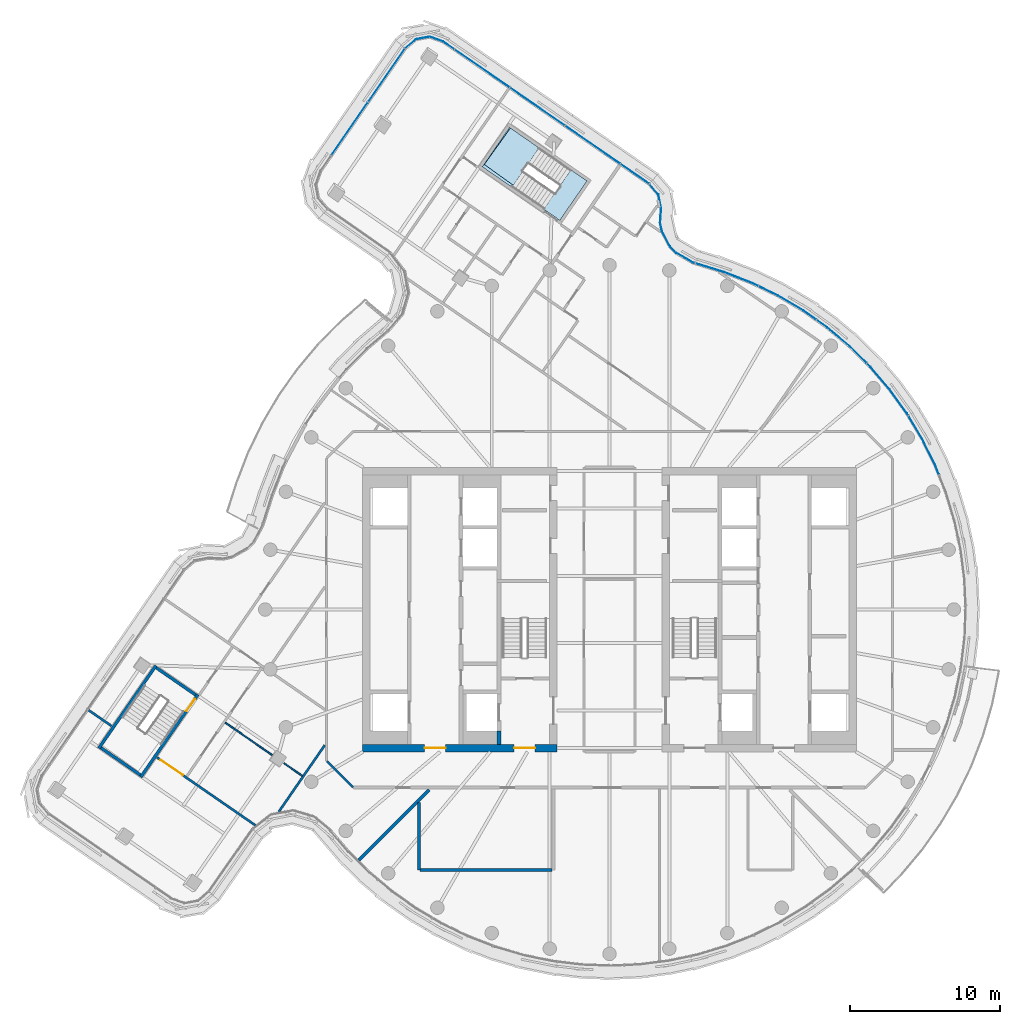
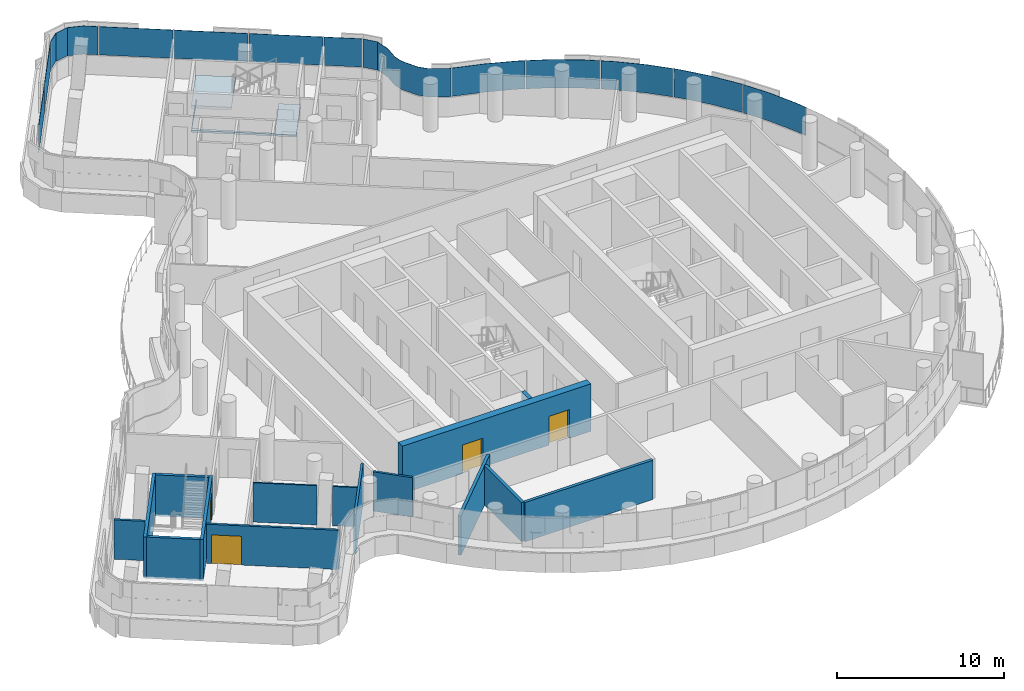
# One storey, part 15 of 26: 15 walls, 13 plates, 4 doors, 2 slabs, 4 openings, 4 elements without a shape of their own.
"""IFC4 building model written with IfcOpenShell, lengths in metres."""

from ifc_helpers import new_model, si_unit, direction, frame, frame_2d, origin, place, context, subcontext, project, spatial, polyline, rectangle, outline, extrude, material, layer, layer_set, type_object, element, fill, aggregate, save


model = new_model("IFC4")

# Units and contexts
model_context = context("Model", 3, precision=1e-05, world=origin(), true_north=direction((0.0, 1.0)))
body_context = subcontext(model_context, "Body", "Model", "MODEL_VIEW")
ifc_project = project(units=[si_unit("LENGTHUNIT", "METRE"), si_unit("AREAUNIT", "SQUARE_METRE"), si_unit("VOLUMEUNIT", "CUBIC_METRE"), si_unit("PLANEANGLEUNIT", "RADIAN"), si_unit("MASSUNIT", "GRAM", prefix="KILO")], contexts=[model_context])

# Site, building, storey
site_placement = place(None, origin())
site = spatial("IfcSite", under=ifc_project, at=site_placement, CompositionType="ELEMENT")
building_placement = place(site_placement, origin())
building = spatial("IfcBuilding", under=site, at=building_placement, Name="Tamarind Cross Interchange Tower", CompositionType="ELEMENT")
storey_placement = place(building_placement, frame((0.0, 0.0, 234.300048828125)))
storey = spatial("IfcBuildingStorey", under=building, at=storey_placement, Name="L59", CompositionType="ELEMENT", Elevation=234.300048828125)

# Slab
ifc_material_1 = material(Name="Concrete C35", Category="concrete")
ifc_layer_1 = layer(ifc_material_1, 0.139892578125)
ifc_layer_set_1 = layer_set([ifc_layer_1], Name="Concrete C35")
slab_type_1 = type_object("IfcSlabType", Name="Composite slab 140 Concrete C35", PredefinedType="FLOOR", material=ifc_layer_set_1)
slab_1_placement = place(storey_placement, frame((0.0, 0.0, -0.14013671875)))
element("IfcSlab", 1, at=slab_1_placement, inside=storey, type_object=slab_type_1, Name="Floor slab L59", PredefinedType="FLOOR", context=body_context, shape_type="SweptSolid", body=[
    extrude(outline(polyline([(-6.684814453125, 32.2060546875), (-8.503173828125, 29.57275390625), (-3.31884765625, 25.9931640625), (-1.50048828125, 28.626220703125), (-2.580322265625, 29.371826171875), (-4.3330078125, 26.83349609375), (-8.363525390625, 29.7265625), (-6.6171875, 32.159423828125), (-6.684814453125, 32.2060546875)])), origin(), (0.0, 0.0, 1.0), 0.14013671875),
])

# Stair, slab
ifc_material_2 = material(Name="Exit stair")
stair_type = type_object("IfcStairType", Name="Exit stair", PredefinedType="HALF_TURN_STAIR", material=ifc_material_2)
stair_placement = place(storey_placement, origin())
stair = element("IfcStair", 2, at=stair_placement, inside=storey, type_object=stair_type, Name="L59 exit stair ST4", PredefinedType="HALF_TURN_STAIR")
ifc_material_3 = material(Name="Concrete C40", Category="concrete")
ifc_layer_2 = layer(ifc_material_3, 0.199951171875)
ifc_layer_set_2 = layer_set([ifc_layer_2], Name="Concrete C40")
slab_type_2 = type_object("IfcSlabType", Name="Stair landing", PredefinedType="LANDING", material=ifc_layer_set_2)
slab_2_placement = place(storey_placement, frame((0.0, 0.0, 1.599853515625)))
slab_2 = element("IfcSlab", 3, at=slab_2_placement, type_object=slab_type_2, Name="ST4 landing 1", PredefinedType="LANDING", context=body_context, shape_type="SweptSolid", body=[
    extrude(outline(polyline([(-4.699951171875, 30.83544921875), (-6.684814453125, 32.2060546875), (-8.503173828125, 29.57275390625), (-6.518310546875, 28.202392578125), (-4.699951171875, 30.83544921875)])), origin(), (0.0, 0.0, 1.0), 0.2001953125),
])
aggregate(stair, [slab_2])

# Curtain wall, plates
ifc_material_4 = material(Name="Aluminium 6063-T6", Category="aluminium")
ifc_layer_3 = layer(ifc_material_4, 0.139892578125)
ifc_layer_set_3 = layer_set([ifc_layer_3], Name="Aluminium 6063-T6")
curtain_wall_type = type_object("IfcCurtainWallType", Name="Hotel curtain wall, 4.5 m bays", PredefinedType="NOTDEFINED", material=ifc_layer_set_3)
curtain_wall_1_placement = place(storey_placement, origin())
curtain_wall_1 = element("IfcCurtainWall", 4, at=curtain_wall_1_placement, inside=storey, type_object=curtain_wall_type, Name="CWS-L59-02", PredefinedType="NOTDEFINED")
ifc_material_5 = material(Name="Laminated low-e glass 6+1.52+6", Category="glass")
ifc_layer_4 = layer(ifc_material_5, 0.02392578125)
ifc_layer_set_4 = layer_set([ifc_layer_4], Name="Laminated low-e glass 6+1.52+6")
plate_type = type_object("IfcPlateType", Name="Vision panel CW2", PredefinedType="CURTAIN_PANEL", material=ifc_layer_set_4)
plate_1_placement = place(storey_placement, frame((0.0, 0.0, 1.39990234375)))
plate_1 = element("IfcPlate", 5, at=plate_1_placement, type_object=plate_type, Name="CWP-L59-02-16", PredefinedType="CURTAIN_PANEL", context=body_context, shape_type="SweptSolid", body=[
    extrude(outline(polyline([(21.990234375, 9.01220703125), (21.7392578125, 9.6474609375), (20.868408203125, 11.40966796875), (19.962890625, 12.91455078125), (19.9833984375, 12.927001953125), (20.889404296875, 11.421142578125), (21.76123046875, 9.6572265625), (22.0126953125, 9.02099609375), (21.990234375, 9.01220703125)])), origin(), (0.0, 0.0, 1.0), 2.06005859375),
])
plate_2_placement = place(storey_placement, frame((0.0, 0.0, 1.39990234375)))
plate_2 = element("IfcPlate", 6, at=plate_2_placement, type_object=plate_type, Name="CWP-L59-02-17", PredefinedType="CURTAIN_PANEL", context=body_context, shape_type="SweptSolid", body=[
    extrude(outline(polyline([(19.931884765625, 12.966064453125), (19.854736328125, 13.093994140625), (18.705810546875, 14.68896484375), (17.4287109375, 16.183349609375), (17.19970703125, 16.41064453125), (17.216552734375, 16.427734375), (17.4462890625, 16.19970703125), (18.724609375, 14.703857421875), (19.874755859375, 13.107177734375), (19.952392578125, 12.978271484375), (19.931884765625, 12.966064453125)])), origin(), (0.0, 0.0, 1.0), 2.06005859375),
])
plate_3_placement = place(storey_placement, frame((0.0, 0.0, 1.39990234375)))
plate_3 = element("IfcPlate", 7, at=plate_3_placement, type_object=plate_type, Name="CWP-L59-02-18", PredefinedType="CURTAIN_PANEL", context=body_context, shape_type="SweptSolid", body=[
    extrude(outline(polyline([(17.156982421875, 16.452880859375), (16.032958984375, 17.5673828125), (14.52734375, 18.83154296875), (13.828125, 19.326171875), (13.842041015625, 19.345703125), (14.5419921875, 18.850341796875), (16.049072265625, 17.585205078125), (17.173828125, 16.469970703125), (17.156982421875, 16.452880859375)])), origin(), (0.0, 0.0, 1.0), 2.06005859375),
])
plate_4_placement = place(storey_placement, frame((0.0, 0.0, 1.39990234375)))
plate_4 = element("IfcPlate", 8, at=plate_4_placement, type_object=plate_type, Name="CWP-L59-02-19", PredefinedType="CURTAIN_PANEL", context=body_context, shape_type="SweptSolid", body=[
    extrude(outline(polyline([(13.779296875, 19.36083984375), (12.922607421875, 19.966796875), (11.229736328125, 20.9658203125), (9.97802734375, 21.57080078125), (9.988525390625, 21.592529296875), (11.240966796875, 20.98681640625), (12.935791015625, 19.987060546875), (13.79296875, 19.38037109375), (13.779296875, 19.36083984375)])), origin(), (0.0, 0.0, 1.0), 2.06005859375),
])
plate_5_placement = place(storey_placement, frame((0.0, 0.0, 1.39990234375)))
plate_5 = element("IfcPlate", 9, at=plate_5_placement, type_object=plate_type, Name="CWP-L59-02-20", PredefinedType="CURTAIN_PANEL", context=body_context, shape_type="SweptSolid", body=[
    extrude(outline(polyline([(9.924072265625, 21.596923828125), (9.4599609375, 21.821533203125), (7.624267578125, 22.52880859375), (5.757080078125, 23.107666015625), (5.76416015625, 23.13037109375), (7.632080078125, 22.551513671875), (9.469482421875, 21.843505859375), (9.9345703125, 21.61865234375), (9.924072265625, 21.596923828125)])), origin(), (0.0, 0.0, 1.0), 2.06005859375),
])
plate_6_placement = place(storey_placement, frame((0.0, 0.0, 1.39990234375)))
plate_6 = element("IfcPlate", 10, at=plate_6_placement, type_object=plate_type, Name="CWP-L59-02-21", PredefinedType="CURTAIN_PANEL", context=body_context, shape_type="SweptSolid", body=[
    extrude(outline(polyline([(5.69970703125, 23.125244140625), (5.560546875, 23.16845703125), (4.452392578125, 23.8095703125), (4.037353515625, 24.23876953125), (3.49755859375, 25.248779296875), (3.371337890625, 25.832275390625), (3.43359375, 26.79296875), (3.25390625, 27.7119140625), (2.6630859375, 28.4013671875), (2.68115234375, 28.4169921875), (3.2763671875, 27.722900390625), (3.457763671875, 26.79443359375), (3.3955078125, 25.834228515625), (3.520263671875, 25.25732421875), (4.05712890625, 24.2529296875), (4.46728515625, 23.82861328125), (5.5703125, 23.190673828125), (5.70703125, 23.148193359375), (5.69970703125, 23.125244140625)])), origin(), (0.0, 0.0, 1.0), 2.06005859375),
])
aggregate(curtain_wall_1, [plate_1, plate_2, plate_3, plate_4, plate_5, plate_6])

curtain_wall_2_placement = place(storey_placement, origin())
curtain_wall_2 = element("IfcCurtainWall", 11, at=curtain_wall_2_placement, inside=storey, type_object=curtain_wall_type, Name="CWS-L59-03", PredefinedType="NOTDEFINED")
plate_7_placement = place(storey_placement, frame((0.0, 0.0, 1.39990234375)))
plate_7 = element("IfcPlate", 12, at=plate_7_placement, type_object=plate_type, Name="CWP-L59-03-00", PredefinedType="CURTAIN_PANEL", context=body_context, shape_type="SweptSolid", body=[
    extrude(outline(polyline([(2.62109375, 28.439208984375), (0.739501953125, 29.738525390625), (0.753173828125, 29.75830078125), (2.634765625, 28.458984375), (2.62109375, 28.439208984375)])), origin(), (0.0, 0.0, 1.0), 2.06005859375),
])
plate_8_placement = place(storey_placement, frame((0.0, 0.0, 1.39990234375)))
plate_8 = element("IfcPlate", 13, at=plate_8_placement, type_object=plate_type, Name="CWP-L59-03-01", PredefinedType="CURTAIN_PANEL", context=body_context, shape_type="SweptSolid", body=[
    extrude(outline(polyline([(0.68994140625, 29.7724609375), (-2.951904296875, 32.287353515625), (-2.938232421875, 32.30712890625), (0.70361328125, 29.792236328125), (0.68994140625, 29.7724609375)])), origin(), (0.0, 0.0, 1.0), 2.06005859375),
])
plate_9_placement = place(storey_placement, frame((0.0, 0.0, 1.39990234375)))
plate_9 = element("IfcPlate", 14, at=plate_9_placement, type_object=plate_type, Name="CWP-L59-03-02", PredefinedType="CURTAIN_PANEL", context=body_context, shape_type="SweptSolid", body=[
    extrude(outline(polyline([(-3.001220703125, 32.321533203125), (-6.6435546875, 34.83642578125), (-6.6298828125, 34.856201171875), (-2.98779296875, 32.34130859375), (-3.001220703125, 32.321533203125)])), origin(), (0.0, 0.0, 1.0), 2.06005859375),
])
plate_10_placement = place(storey_placement, frame((0.0, 0.0, 1.39990234375)))
plate_10 = element("IfcPlate", 15, at=plate_10_placement, type_object=plate_type, Name="CWP-L59-03-03", PredefinedType="CURTAIN_PANEL", context=body_context, shape_type="SweptSolid", body=[
    extrude(outline(polyline([(-6.69287109375, 34.87060546875), (-10.334716796875, 37.385498046875), (-10.3212890625, 37.405029296875), (-6.67919921875, 34.890380859375), (-6.69287109375, 34.87060546875)])), origin(), (0.0, 0.0, 1.0), 2.06005859375),
])
plate_11_placement = place(storey_placement, frame((0.0, 0.0, 1.39990234375)))
plate_11 = element("IfcPlate", 16, at=plate_11_placement, type_object=plate_type, Name="CWP-L59-03-04", PredefinedType="CURTAIN_PANEL", context=body_context, shape_type="SweptSolid", body=[
    extrude(outline(polyline([(-10.38427734375, 37.41943359375), (-11.119873046875, 37.927490234375), (-12.015380859375, 38.246826171875), (-12.921875, 38.080810546875), (-13.62451171875, 37.4833984375), (-13.639892578125, 37.501708984375), (-12.9326171875, 38.103271484375), (-12.013427734375, 38.271484375), (-11.10888671875, 37.948974609375), (-10.37060546875, 37.439208984375), (-10.38427734375, 37.41943359375)])), origin(), (0.0, 0.0, 1.0), 2.06005859375),
])
aggregate(curtain_wall_2, [plate_7, plate_8, plate_9, plate_10, plate_11])

curtain_wall_3_placement = place(storey_placement, origin())
curtain_wall_3 = element("IfcCurtainWall", 17, at=curtain_wall_3_placement, inside=storey, type_object=curtain_wall_type, Name="CWS-L59-04", PredefinedType="NOTDEFINED")
plate_12_placement = place(storey_placement, frame((0.0, 0.0, 1.39990234375)))
plate_12 = element("IfcPlate", 18, at=plate_12_placement, type_object=plate_type, Name="CWP-L59-04-00", PredefinedType="CURTAIN_PANEL", context=body_context, shape_type="SweptSolid", body=[
    extrude(outline(polyline([(-13.662353515625, 37.441650390625), (-16.097412109375, 33.9150390625), (-16.1171875, 33.9287109375), (-13.681884765625, 37.455322265625), (-13.662353515625, 37.441650390625)])), origin(), (0.0, 0.0, 1.0), 2.06005859375),
])
plate_13_placement = place(storey_placement, frame((0.0, 0.0, 1.39990234375)))
plate_13 = element("IfcPlate", 19, at=plate_13_placement, type_object=plate_type, Name="CWP-L59-04-01", PredefinedType="CURTAIN_PANEL", context=body_context, shape_type="SweptSolid", body=[
    extrude(outline(polyline([(-16.13134765625, 33.86572265625), (-18.566650390625, 30.339111328125), (-18.58642578125, 30.352783203125), (-16.151123046875, 33.87939453125), (-16.13134765625, 33.86572265625)])), origin(), (0.0, 0.0, 1.0), 2.06005859375),
])
aggregate(curtain_wall_3, [plate_12, plate_13])

# Wall, openings, doors
ifc_material_6 = material(Name="Concrete C50", Category="concrete")
ifc_layer_5 = layer(ifc_material_6, 0.5)
ifc_layer_set_5 = layer_set([ifc_layer_5], Name="Concrete C50")
wall_type_1 = type_object("IfcWallType", Name="Core wall 500 mm Concrete C50", PredefinedType="SHEAR", material=ifc_layer_set_5)
wall_1_placement = place(storey_placement, frame((-16.5, -9.25, 0.0), z_axis=(0.0, 0.0, 1.0), x_axis=(1.0, 0.0, 0.0)))
wall_1 = element("IfcWall", 20, at=wall_1_placement, inside=storey, type_object=wall_type_1, Name="Core wall CWL-L59-W-S", PredefinedType="SHEAR", context=body_context, shape_type="SweptSolid", body=[
    extrude(rectangle(XDim=13.0, YDim=0.5, at=frame_2d((6.5, 0.0))), origin(), (0.0, 0.0, 1.0), 3.4599609375),
])
opening_1_placement = place(wall_1_placement, frame((4.14990234375, 0.0, 0.0)))
opening_1 = element("IfcOpeningElement", 21, at=opening_1_placement, cuts=wall_1, Name="Opening DCW1", PredefinedType="OPENING", context=body_context, shape_type="SweptSolid", body=[
    extrude(rectangle(XDim=1.39990234375, YDim=2.10009765625, at=frame_2d((0.699951171875, 1.050048828125))), frame((0.0, 0.260009765625, 0.0), z_axis=(0.0, -1.0, 0.0), x_axis=(1.0, 0.0, 0.0)), (0.0, 0.0, 1.0), 0.52001953125),
])
opening_2_placement = place(wall_1_placement, frame((10.125, 0.0, 0.0)))
opening_2 = element("IfcOpeningElement", 22, at=opening_2_placement, cuts=wall_1, Name="Opening DCWF", PredefinedType="OPENING", context=body_context, shape_type="SweptSolid", body=[
    extrude(rectangle(XDim=1.39990234375, YDim=2.10009765625, at=frame_2d((0.699951171875, 1.050048828125))), frame((0.0, 0.260009765625, 0.0), z_axis=(0.0, -1.0, 0.0), x_axis=(1.0, 0.0, 0.0)), (0.0, 0.0, 1.0), 0.52001953125),
])
ifc_material_7 = material(Name="Steel, fire-resisting", Category="steel")
door_type_1 = type_object("IfcDoorType", Name="Core fire door 1400 x 2100 FD90", OperationType="SINGLE_SWING_LEFT", PredefinedType="DOOR", material=ifc_material_7)
door_1_placement = place(opening_1_placement, origin())
door_1 = element("IfcDoor", 23, at=door_1_placement, inside=storey, type_object=door_type_1, Name="L59 lift lobby door", OperationType="SINGLE_SWING_LEFT", OverallHeight=2.10009765625, OverallWidth=1.39990234375, PredefinedType="DOOR", context=body_context, shape_type="SweptSolid", body=[
    extrude(rectangle(XDim=1.39990234375, YDim=2.10009765625, at=frame_2d((0.699951171875, 1.050048828125))), frame((0.0, 0.02490234375, 0.0), z_axis=(0.0, -1.0, 0.0), x_axis=(1.0, 0.0, 0.0)), (0.0, 0.0, 1.0), 0.050048828125),
])
fill(opening_1, door_1)
door_2_placement = place(opening_2_placement, origin())
door_2 = element("IfcDoor", 24, at=door_2_placement, inside=storey, type_object=door_type_1, Name="L59 firefighting lobby end door", OperationType="SINGLE_SWING_LEFT", OverallHeight=2.10009765625, OverallWidth=1.39990234375, PredefinedType="DOOR", context=body_context, shape_type="SweptSolid", body=[
    extrude(rectangle(XDim=1.39990234375, YDim=2.10009765625, at=frame_2d((0.699951171875, 1.050048828125))), frame((0.0, 0.02490234375, 0.0), z_axis=(0.0, -1.0, 0.0), x_axis=(1.0, 0.0, 0.0)), (0.0, 0.0, 1.0), 0.050048828125),
])
fill(opening_2, door_2)

# Walls
ifc_layer_6 = layer(ifc_material_6, 0.25)
ifc_layer_set_6 = layer_set([ifc_layer_6], Name="Concrete C50")
wall_type_2 = type_object("IfcWallType", Name="Core web wall 250 mm Concrete C50", PredefinedType="SHEAR", material=ifc_layer_set_6)
wall_2_placement = place(storey_placement, frame((-7.375, -9.0, 0.0), z_axis=(0.0, 0.0, 1.0), x_axis=(0.0, 1.0, 0.0)))
element("IfcWall", 25, at=wall_2_placement, inside=storey, type_object=wall_type_2, Name="Core wall CWL-L59-W-BW", PredefinedType="SHEAR", context=body_context, shape_type="SweptSolid", body=[
    extrude(rectangle(XDim=0.875, YDim=0.25, at=frame_2d((0.4375, 0.0))), origin(), (0.0, 0.0, 1.0), 3.4599609375),
])
ifc_material_8 = material(Name="Gypsum board partition on steel studs", Category="steel")
ifc_layer_7 = layer(ifc_material_8, 0.10009765625)
ifc_layer_set_7 = layer_set([ifc_layer_7], Name="Gypsum board partition on steel studs")
wall_type_3 = type_object("IfcWallType", Name="Partition 100 mm EI 90", PredefinedType="PARTITIONING", material=ifc_layer_set_7)
wall_3_placement = place(storey_placement, frame((-25.667236328125, -7.5546875, 0.0), z_axis=(0.0, 0.0, 1.0), x_axis=(0.822953879719, -0.568108186753, 0.0)))
element("IfcWall", 26, at=wall_3_placement, inside=storey, type_object=wall_type_3, Name="Partition L59-008", PredefinedType="PARTITIONING", context=body_context, shape_type="SweptSolid", body=[
    extrude(rectangle(XDim=3.815673828125, YDim=0.10009765625, at=frame_2d((1.90771484375, 0.0))), origin(), (0.0, 0.0, 1.0), 2.864013671875),
])
wall_4_placement = place(storey_placement, frame((-21.739990234375, -10.265869140625, 0.0), z_axis=(0.0, 0.0, 1.0), x_axis=(0.822970451854, -0.568084179832, 0.0)))
element("IfcWall", 27, at=wall_4_placement, inside=storey, type_object=wall_type_3, Name="Partition L59-009", PredefinedType="PARTITIONING", context=body_context, shape_type="SweptSolid", body=[
    extrude(rectangle(XDim=1.47802734375, YDim=0.10009765625, at=frame_2d((0.739013671875, 0.0))), origin(), (0.0, 0.0, 1.0), 2.864013671875),
])
ifc_layer_8 = layer(ifc_material_8, 0.14990234375)
ifc_layer_set_8 = layer_set([ifc_layer_8], Name="Gypsum board partition on steel studs")
wall_type_4 = type_object("IfcWallType", Name="Partition 150 mm EI 120", PredefinedType="PARTITIONING", material=ifc_layer_set_8)
wall_5_placement = place(storey_placement, frame((-18.87158203125, -10.12841796875, 0.0), z_axis=(0.0, 0.0, 1.0), x_axis=(0.707106781187, -0.707106781187, 0.0)))
element("IfcWall", 28, at=wall_5_placement, inside=storey, type_object=wall_type_4, Name="Partition L59-001", PredefinedType="PARTITIONING", context=body_context, shape_type="SweptSolid", body=[
    extrude(rectangle(XDim=2.455078125, YDim=0.14990234375, at=frame_2d((1.2275390625, 0.0))), origin(), (0.0, 0.0, 1.0), 2.864013671875),
])
wall_6_placement = place(storey_placement, frame((-34.785400390625, -6.726318359375, 0.0), z_axis=(0.0, 0.0, 1.0), x_axis=(0.822905675357, -0.568178008608, 0.0)))
element("IfcWall", 29, at=wall_6_placement, inside=storey, type_object=wall_type_4, Name="Partition L59-004", PredefinedType="PARTITIONING", context=body_context, shape_type="SweptSolid", body=[
    extrude(rectangle(XDim=1.8583984375, YDim=0.14990234375, at=frame_2d((0.92919921875, 0.0))), origin(), (0.0, 0.0, 1.0), 2.864013671875),
])

# Wall, opening, door
wall_7_placement = place(storey_placement, frame((-30.227294921875, -9.873291015625, 0.0), z_axis=(0.0, 0.0, 1.0), x_axis=(0.822920744526, -0.568156182954, 0.0)))
wall_7 = element("IfcWall", 30, at=wall_7_placement, inside=storey, type_object=wall_type_4, Name="Partition L59-005", PredefinedType="PARTITIONING", context=body_context, shape_type="SweptSolid", body=[
    extrude(rectangle(XDim=7.978759765625, YDim=0.14990234375, at=frame_2d((3.9892578125, 0.0))), origin(), (0.0, 0.0, 1.0), 2.864013671875),
])
opening_3_placement = place(wall_7_placement, frame((0.300048828125, 0.0, 0.0)))
opening_3 = element("IfcOpeningElement", 31, at=opening_3_placement, cuts=wall_7, Name="Opening D01", PredefinedType="OPENING", context=body_context, shape_type="SweptSolid", body=[
    extrude(rectangle(XDim=1.800048828125, YDim=2.10009765625, at=frame_2d((0.89990234375, 1.050048828125))), frame((0.0, 0.0849609375, 0.0), z_axis=(0.0, -1.0, 0.0), x_axis=(1.0, 0.0, 0.0)), (0.0, 0.0, 1.0), 0.169921875),
])
ifc_material_9 = material(Name="Fire-resisting door set")
door_type_2 = type_object("IfcDoorType", Name="Interior door 1800 x 2100 FD60S", OperationType="DOUBLE_DOOR_SINGLE_SWING", PredefinedType="DOOR", material=ifc_material_9)
door_3_placement = place(opening_3_placement, frame((1.800048828125, 0.0, 0.0), z_axis=(0.0, 0.0, 1.0), x_axis=(-1.0, 0.0, 0.0)))
door_3 = element("IfcDoor", 32, at=door_3_placement, inside=storey, type_object=door_type_2, Name="Door D01", OperationType="DOUBLE_DOOR_SINGLE_SWING", OverallHeight=2.10009765625, OverallWidth=1.800048828125, PredefinedType="DOOR", context=body_context, shape_type="SweptSolid", body=[
    extrude(rectangle(XDim=1.800048828125, YDim=2.10009765625, at=frame_2d((0.89990234375, 1.050048828125))), frame((0.0, 0.02490234375, 0.0), z_axis=(0.0, -1.0, 0.0), x_axis=(1.0, 0.0, 0.0)), (0.0, 0.0, 1.0), 0.050048828125),
])
fill(opening_3, door_3)

# Walls
wall_8_placement = place(storey_placement, frame((-22.089599609375, -13.50537109375, 0.0), z_axis=(0.0, 0.0, 1.0), x_axis=(0.568201643827, 0.822889355838, 0.0)))
element("IfcWall", 33, at=wall_8_placement, inside=storey, type_object=wall_type_4, Name="Partition L59-042", PredefinedType="PARTITIONING", context=body_context, shape_type="SweptSolid", body=[
    extrude(rectangle(XDim=5.403564453125, YDim=0.14990234375, at=frame_2d((2.70166015625, 0.0))), origin(), (0.0, 0.0, 1.0), 2.864013671875),
])
ifc_layer_9 = layer(ifc_material_8, 0.199951171875)
ifc_layer_set_9 = layer_set([ifc_layer_9], Name="Gypsum board partition on steel studs")
wall_type_5 = type_object("IfcWallType", Name="Partition 200 mm EI 180", PredefinedType="PARTITIONING", material=ifc_layer_set_9)
wall_9_placement = place(storey_placement, frame((-12.660888671875, -17.39990234375, 0.0), z_axis=(0.0, 0.0, 1.0), x_axis=(1.0, 0.0, 0.0)))
element("IfcWall", 34, at=wall_9_placement, inside=storey, type_object=wall_type_5, Name="Partition L59-027", PredefinedType="PARTITIONING", context=body_context, shape_type="SweptSolid", body=[
    extrude(rectangle(XDim=8.8349609375, YDim=0.199951171875, at=frame_2d((4.41748046875, 0.0))), origin(), (0.0, 0.0, 1.0), 2.864013671875),
])
wall_10_placement = place(storey_placement, frame((-16.740478515625, -16.740478515625, 0.0), z_axis=(0.0, 0.0, 1.0), x_axis=(0.707106781187, 0.707106781187, 0.0)))
element("IfcWall", 35, at=wall_10_placement, inside=storey, type_object=wall_type_5, Name="Partition L59-035", PredefinedType="PARTITIONING", context=body_context, shape_type="SweptSolid", body=[
    extrude(rectangle(XDim=6.630615234375, YDim=0.199951171875, at=frame_2d((3.3154296875, 0.0))), origin(), (0.0, 0.0, 1.0), 2.864013671875),
])
wall_11_placement = place(storey_placement, frame((-12.740966796875, -17.39990234375, 0.0), z_axis=(0.0, 0.0, 1.0), x_axis=(0.0, 1.0, 0.0)))
element("IfcWall", 36, at=wall_11_placement, inside=storey, type_object=wall_type_5, Name="Partition L59-056", PredefinedType="PARTITIONING", context=body_context, shape_type="SweptSolid", body=[
    extrude(rectangle(XDim=4.4990234375, YDim=0.199951171875, at=frame_2d((2.24951171875, 0.0))), origin(), (0.0, 0.0, 1.0), 2.864013671875),
])

# Wall, opening, door
ifc_layer_10 = layer(ifc_material_3, 0.199951171875)
ifc_layer_set_10 = layer_set([ifc_layer_10], Name="Concrete C40")
wall_type_6 = type_object("IfcWallType", Name="Stair shaft wall 200 mm Concrete C40", PredefinedType="SHEAR", material=ifc_layer_set_10)
wall_12_placement = place(storey_placement, frame((-27.501708984375, -5.6796875, -0.14013671875), z_axis=(0.0, 0.0, 1.0), x_axis=(-0.568214803713, -0.822880268837, 0.0)))
wall_12 = element("IfcWall", 37, at=wall_12_placement, inside=storey, type_object=wall_type_6, Name="Core wall CWL-L59-ST5-H", PredefinedType="SHEAR", context=body_context, shape_type="SweptSolid", body=[
    extrude(rectangle(XDim=6.7001953125, YDim=0.199951171875, at=frame_2d((3.35009765625, 0.0))), origin(), (0.0, 0.0, 1.0), 3.004150390625),
])
opening_4_placement = place(wall_12_placement, frame((0.35009765625, 0.0, 0.0)))
opening_4 = element("IfcOpeningElement", 38, at=opening_4_placement, cuts=wall_12, Name="Opening ST5L59", PredefinedType="OPENING", context=body_context, shape_type="SweptSolid", body=[
    extrude(rectangle(XDim=1.0, YDim=2.10009765625, at=frame_2d((0.5, 1.050048828125))), frame((0.0, 0.10986328125, 0.0), z_axis=(0.0, -1.0, 0.0), x_axis=(1.0, 0.0, 0.0)), (0.0, 0.0, 1.0), 0.219970703125),
])
door_type_3 = type_object("IfcDoorType", Name="Core fire door 1000 x 2100 FD90", OperationType="SINGLE_SWING_LEFT", PredefinedType="DOOR", material=ifc_material_7)
door_4_placement = place(opening_4_placement, origin())
door_4 = element("IfcDoor", 39, at=door_4_placement, inside=storey, type_object=door_type_3, Name="L59 stair door ST5", OperationType="SINGLE_SWING_LEFT", OverallHeight=2.10009765625, OverallWidth=1.0, PredefinedType="DOOR", context=body_context, shape_type="SweptSolid", body=[
    extrude(rectangle(XDim=1.0, YDim=2.10009765625, at=frame_2d((0.5, 1.050048828125))), frame((0.0, 0.02490234375, 0.0), z_axis=(0.0, -1.0, 0.0), x_axis=(1.0, 0.0, 0.0)), (0.0, 0.0, 1.0), 0.050048828125),
])
fill(opening_4, door_4)

# Walls
wall_13_placement = place(storey_placement, frame((-30.299560546875, -3.747802734375, -0.14013671875), z_axis=(0.0, 0.0, 1.0), x_axis=(-0.568214803713, -0.822880268837, 0.0)))
element("IfcWall", 40, at=wall_13_placement, inside=storey, type_object=wall_type_6, Name="Core wall CWL-L59-ST5-C", PredefinedType="SHEAR", context=body_context, shape_type="SweptSolid", body=[
    extrude(rectangle(XDim=6.7001953125, YDim=0.199951171875, at=frame_2d((3.35009765625, 0.0))), origin(), (0.0, 0.0, 1.0), 3.004150390625),
])
wall_14_placement = place(storey_placement, frame((-30.274169921875, -3.886962890625, -0.14013671875), z_axis=(0.0, 0.0, 1.0), x_axis=(0.822878215373, -0.568217777498, 0.0)))
element("IfcWall", 41, at=wall_14_placement, inside=storey, type_object=wall_type_6, Name="Core wall CWL-L59-ST5-CE", PredefinedType="SHEAR", context=body_context, shape_type="SweptSolid", body=[
    extrude(rectangle(XDim=3.2001953125, YDim=0.199951171875, at=frame_2d((1.60009765625, 0.0))), origin(), (0.0, 0.0, 1.0), 3.004150390625),
])
wall_15_placement = place(storey_placement, frame((0.0, 0.0, -0.14013671875)))
element("IfcWall", 42, at=wall_15_placement, inside=storey, type_object=wall_type_6, Name="Core wall CWL-L59-ST5-CF", PredefinedType="SHEAR", context=body_context, shape_type="SweptSolid", body=[
    extrude(outline(polyline([(-33.91064453125, -9.1533203125), (-34.0244140625, -9.318115234375), (-31.39111328125, -11.13623046875), (-31.277587890625, -10.9716796875), (-33.91064453125, -9.1533203125)])), origin(), (0.0, 0.0, 1.0), 3.004150390625),
])

save(model, "model.ifc")
